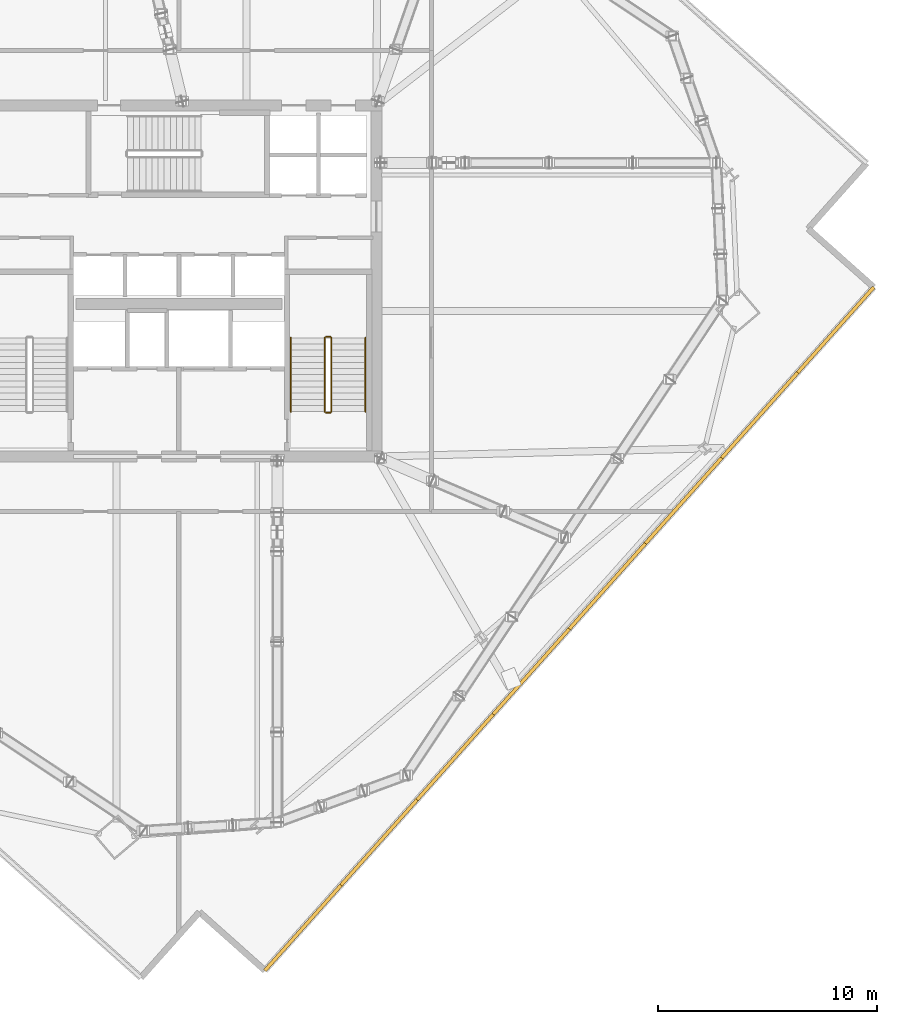
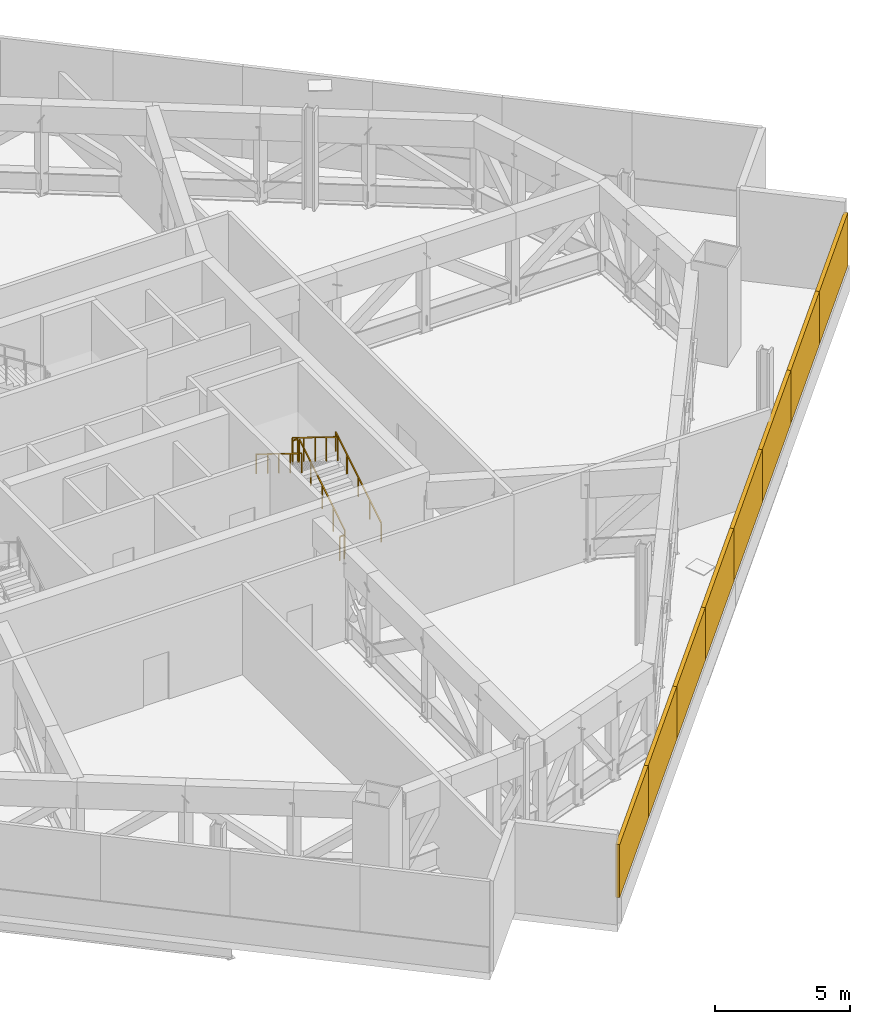
# One storey, part 16 of 18: 8 shading devices, 6 railings.
"""IFC4 building model written with IfcOpenShell, lengths in metres."""

from ifc_helpers import new_model, si_unit, direction, frame, origin, origin_2d, place, context, subcontext, project, spatial, rectangle, extrude, source, transform, mapped, material, layer, layer_set, type_object, element, save


model = new_model("IFC4")

# Units and contexts
model_context = context("Model", 3, precision=1e-05, world=origin(), true_north=direction((0.0, 1.0)))
body_context = subcontext(model_context, "Body", "Model", "MODEL_VIEW")
ifc_project = project(units=[si_unit("LENGTHUNIT", "METRE"), si_unit("AREAUNIT", "SQUARE_METRE"), si_unit("VOLUMEUNIT", "CUBIC_METRE"), si_unit("PLANEANGLEUNIT", "RADIAN"), si_unit("MASSUNIT", "GRAM", prefix="KILO")], contexts=[model_context])

# Site, building, storey
site_placement = place(None, origin())
site = spatial("IfcSite", under=ifc_project, at=site_placement, CompositionType="ELEMENT")
building_placement = place(site_placement, origin())
building = spatial("IfcBuilding", under=site, at=building_placement, Name="Haldenkirk Collegiate Tower", CompositionType="ELEMENT")
storey_placement = place(building_placement, frame((0.0, 0.0, 189.449951171875)))
storey = spatial("IfcBuildingStorey", under=building, at=storey_placement, Name="L47", CompositionType="ELEMENT", Elevation=189.449951171875)

# Railings
ifc_material_1 = material(Name="Painted architectural tubular steel", Category="steel")
railing_type_1 = type_object("IfcRailingType", Name="RLG-STAIR-GUARD-1100", PredefinedType="BALUSTRADE", material=ifc_material_1)
railing_1_placement = place(storey_placement, frame((42.949951171875, 20.050048828125, 0.173095703125)))
element("IfcRailing", 1, at=railing_1_placement, inside=storey, type_object=railing_type_1, Name="L47 ST-2 stair guard 1", PredefinedType="BALUSTRADE", context=body_context, shape_type="SweptSolid", body=[
    extrude(rectangle(XDim=0.048095703125, YDim=0.048095703125, at=origin_2d()), frame((0.0, 0.0, 1.076171875), z_axis=(0.0, 0.850606129759, 0.525803396734), x_axis=(-1.0, 0.0, 0.0)), (0.0, 0.0, 1.0), 3.949951171875),
    extrude(rectangle(XDim=0.0419921875, YDim=0.0419921875, at=origin_2d()), origin(), (0.0, 0.0, 1.0), 1.052001953125),
    extrude(rectangle(XDim=0.0419921875, YDim=0.0419921875, at=origin_2d()), frame((0.0, 0.83984375, 0.519287109375)), (0.0, 0.0, 1.0), 1.052001953125),
    extrude(rectangle(XDim=0.0419921875, YDim=0.0419921875, at=origin_2d()), frame((0.0, 1.679931640625, 1.03857421875)), (0.0, 0.0, 1.0), 1.052001953125),
    extrude(rectangle(XDim=0.0419921875, YDim=0.0419921875, at=origin_2d()), frame((0.0, 2.52001953125, 1.5576171875)), (0.0, 0.0, 1.0), 1.052001953125),
    extrude(rectangle(XDim=0.0419921875, YDim=0.0419921875, at=origin_2d()), frame((0.0, 3.35986328125, 2.076904296875)), (0.0, 0.0, 1.0), 1.052001953125),
])
railing_2_placement = place(storey_placement, frame((42.89990234375, 23.4599609375, 2.25)))
element("IfcRailing", 2, at=railing_2_placement, inside=storey, type_object=railing_type_1, Name="L47 ST-2 stair guard 2", PredefinedType="BALUSTRADE", context=body_context, shape_type="SweptSolid", body=[
    extrude(rectangle(XDim=0.048095703125, YDim=0.048095703125, at=origin_2d()), frame((0.0, 0.0, 1.076171875), z_axis=(-1.0, 0.0, 0.0), x_axis=(0.0, -1.0, 0.0)), (0.0, 0.0, 1.0), 0.199951171875),
    extrude(rectangle(XDim=0.0419921875, YDim=0.0419921875, at=origin_2d()), origin(), (0.0, 0.0, 1.0), 1.052001953125),
    extrude(rectangle(XDim=0.0419921875, YDim=0.0419921875, at=origin_2d()), frame((-0.199951171875, 0.0, 0.0)), (0.0, 0.0, 1.0), 1.052001953125),
])
railing_3_placement = place(storey_placement, frame((42.64990234375, 23.409912109375, 2.423095703125)))
element("IfcRailing", 3, at=railing_3_placement, inside=storey, type_object=railing_type_1, Name="L47 ST-2 stair guard 3", PredefinedType="BALUSTRADE", context=body_context, shape_type="SweptSolid", body=[
    extrude(rectangle(XDim=0.048095703125, YDim=0.048095703125, at=origin_2d()), frame((0.0, 0.0, 1.076171875), z_axis=(0.0, -0.850606129759, 0.525803396734), x_axis=(1.0, 0.0, 0.0)), (0.0, 0.0, 1.0), 3.949951171875),
    extrude(rectangle(XDim=0.0419921875, YDim=0.0419921875, at=origin_2d()), origin(), (0.0, 0.0, 1.0), 1.052001953125),
    extrude(rectangle(XDim=0.0419921875, YDim=0.0419921875, at=origin_2d()), frame((0.0, -0.83984375, 0.519287109375)), (0.0, 0.0, 1.0), 1.052001953125),
    extrude(rectangle(XDim=0.0419921875, YDim=0.0419921875, at=origin_2d()), frame((0.0, -1.679931640625, 1.03857421875)), (0.0, 0.0, 1.0), 1.052001953125),
    extrude(rectangle(XDim=0.0419921875, YDim=0.0419921875, at=origin_2d()), frame((0.0, -2.52001953125, 1.5576171875)), (0.0, 0.0, 1.0), 1.052001953125),
    extrude(rectangle(XDim=0.0419921875, YDim=0.0419921875, at=origin_2d()), frame((0.0, -3.35986328125, 2.076904296875)), (0.0, 0.0, 1.0), 1.052001953125),
])
railing_4_placement = place(storey_placement, frame((42.89990234375, 20.0, 0.0)))
element("IfcRailing", 4, at=railing_4_placement, inside=storey, type_object=railing_type_1, Name="L47 ST-2 stair guard 4", PredefinedType="BALUSTRADE", context=body_context, shape_type="SweptSolid", body=[
    extrude(rectangle(XDim=0.048095703125, YDim=0.048095703125, at=origin_2d()), frame((0.0, 0.0, 1.076171875), z_axis=(-1.0, 0.0, 0.0), x_axis=(0.0, -1.0, 0.0)), (0.0, 0.0, 1.0), 0.199951171875),
    extrude(rectangle(XDim=0.0419921875, YDim=0.0419921875, at=origin_2d()), origin(), (0.0, 0.0, 1.0), 1.052001953125),
    extrude(rectangle(XDim=0.0419921875, YDim=0.0419921875, at=origin_2d()), frame((-0.199951171875, 0.0, 0.0)), (0.0, 0.0, 1.0), 1.052001953125),
])
railing_type_2 = type_object("IfcRailingType", Name="RLG-STAIR-HANDRAIL-900", PredefinedType="HANDRAIL", material=ifc_material_1)
railing_5_placement = place(storey_placement, frame((44.5, 20.050048828125, 0.173095703125)))
element("IfcRailing", 5, at=railing_5_placement, inside=storey, type_object=railing_type_2, Name="L47 ST-2 stair handrail 1", PredefinedType="HANDRAIL", context=body_context, shape_type="SweptSolid", body=[
    extrude(rectangle(XDim=0.048095703125, YDim=0.048095703125, at=origin_2d()), frame((0.0, 0.0, 0.8759765625), z_axis=(0.0, 0.850606129759, 0.525803396734), x_axis=(-1.0, 0.0, 0.0)), (0.0, 0.0, 1.0), 3.949951171875),
    extrude(rectangle(XDim=0.0419921875, YDim=0.0419921875, at=origin_2d()), origin(), (0.0, 0.0, 1.0), 0.851806640625),
    extrude(rectangle(XDim=0.0419921875, YDim=0.0419921875, at=origin_2d()), frame((0.0, 0.83984375, 0.519287109375)), (0.0, 0.0, 1.0), 0.851806640625),
    extrude(rectangle(XDim=0.0419921875, YDim=0.0419921875, at=origin_2d()), frame((0.0, 1.679931640625, 1.03857421875)), (0.0, 0.0, 1.0), 0.851806640625),
    extrude(rectangle(XDim=0.0419921875, YDim=0.0419921875, at=origin_2d()), frame((0.0, 2.52001953125, 1.5576171875)), (0.0, 0.0, 1.0), 0.851806640625),
    extrude(rectangle(XDim=0.0419921875, YDim=0.0419921875, at=origin_2d()), frame((0.0, 3.35986328125, 2.076904296875)), (0.0, 0.0, 1.0), 0.851806640625),
])
railing_6_placement = place(storey_placement, frame((41.10009765625, 23.409912109375, 2.423095703125)))
element("IfcRailing", 6, at=railing_6_placement, inside=storey, type_object=railing_type_2, Name="L47 ST-2 stair handrail 2", PredefinedType="HANDRAIL", context=body_context, shape_type="SweptSolid", body=[
    extrude(rectangle(XDim=0.048095703125, YDim=0.048095703125, at=origin_2d()), frame((0.0, 0.0, 0.8759765625), z_axis=(0.0, -0.850606129759, 0.525803396734), x_axis=(1.0, 0.0, 0.0)), (0.0, 0.0, 1.0), 3.949951171875),
    extrude(rectangle(XDim=0.0419921875, YDim=0.0419921875, at=origin_2d()), origin(), (0.0, 0.0, 1.0), 0.851806640625),
    extrude(rectangle(XDim=0.0419921875, YDim=0.0419921875, at=origin_2d()), frame((0.0, -0.83984375, 0.519287109375)), (0.0, 0.0, 1.0), 0.851806640625),
    extrude(rectangle(XDim=0.0419921875, YDim=0.0419921875, at=origin_2d()), frame((0.0, -1.679931640625, 1.03857421875)), (0.0, 0.0, 1.0), 0.851806640625),
    extrude(rectangle(XDim=0.0419921875, YDim=0.0419921875, at=origin_2d()), frame((0.0, -2.52001953125, 1.5576171875)), (0.0, 0.0, 1.0), 0.851806640625),
    extrude(rectangle(XDim=0.0419921875, YDim=0.0419921875, at=origin_2d()), frame((0.0, -3.35986328125, 2.076904296875)), (0.0, 0.0, 1.0), 0.851806640625),
])

# Shading devices
ifc_material_2 = material(Name="Anodised architectural bronze aluminium", Category="aluminium")
ifc_layer = layer(ifc_material_2, 0.139892578125)
ifc_layer_set = layer_set([ifc_layer], Name="Anodised architectural bronze aluminium")
shading_device_type = type_object("IfcShadingDeviceType", Name="SHD-LOUVRE-CROWN", PredefinedType="JALOUSIE", material=ifc_layer_set)
shared_shape = source(origin(), body_context, "Body", "SweptSolid", [
    extrude(rectangle(XDim=5.21240234375, YDim=0.159912109375, at=origin_2d()), origin(), (0.0, 0.0, 1.0), 2.39794921875),
])
for number, where, z_axis, x_axis, name in (
    (7, (65.9248046875, 23.7724609375, 1.150146484375), (0.0, 0.0, 1.0), (-0.665230354654, -0.746638182285, 0.0), "L47 mechanical intake louvre screen S1"),
    (8, (62.45751953125, 19.880615234375, 1.150146484375), (0.0, 0.0, 1.0), (-0.665230354654, -0.746638182285, 0.0), "L47 mechanical intake louvre screen S2"),
    (9, (58.989990234375, 15.98876953125, 1.150146484375), (0.0, 0.0, 1.0), (-0.665230354654, -0.746638182285, 0.0), "L47 mechanical intake louvre screen S3"),
    (10, (55.5224609375, 12.0966796875, 1.150146484375), (0.0, 0.0, 1.0), (-0.665230354654, -0.746638182285, 0.0), "L47 mechanical intake louvre screen S4"),
    (11, (52.054931640625, 8.205078125, 1.150146484375), (0.0, 0.0, 1.0), (-0.665230354654, -0.746638182285, 0.0), "L47 mechanical intake louvre screen S5"),
    (12, (48.58740234375, 4.31298828125, 1.150146484375), (0.0, 0.0, 1.0), (-0.665230354654, -0.746638182285, 0.0), "L47 mechanical intake louvre screen S6"),
    (13, (45.119873046875, 0.42138671875, 1.150146484375), (0.0, 0.0, 1.0), (-0.665230354654, -0.746638182285, 0.0), "L47 mechanical intake louvre screen S7"),
    (14, (41.65234375, -3.470703125, 1.150146484375), (0.0, 0.0, 1.0), (-0.665230354654, -0.746638182285, 0.0), "L47 mechanical intake louvre screen S8"),
):
    element("IfcShadingDevice", number, at=place(storey_placement, frame(where, z_axis=z_axis, x_axis=x_axis)), inside=storey, type_object=shading_device_type, Name=name, PredefinedType="JALOUSIE", context=body_context, shape_type="MappedRepresentation", body=[
        mapped(shared_shape, transform((0.0, 0.0, 0.0), x_axis=(1.0, 0.0, 0.0), y_axis=(0.0, 1.0, 0.0), z_axis=(0.0, 0.0, 1.0), scale=1.0)),
    ])

save(model, "model.ifc")
